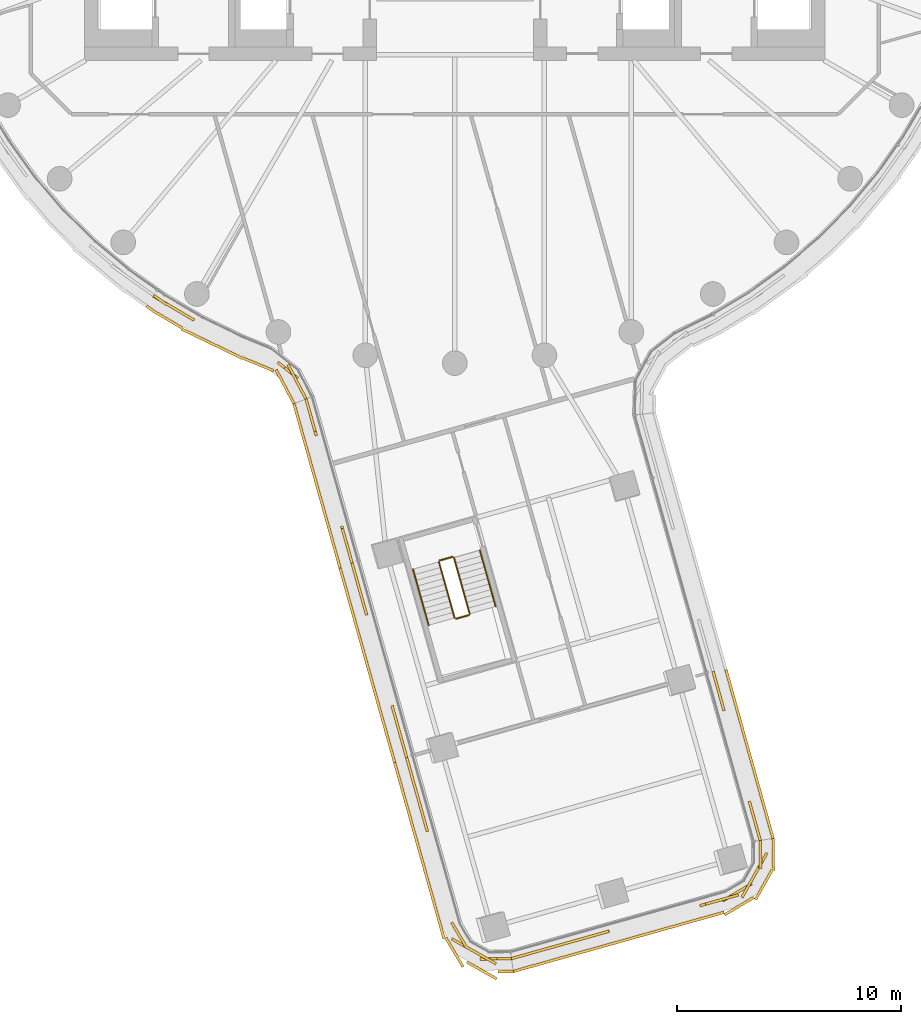
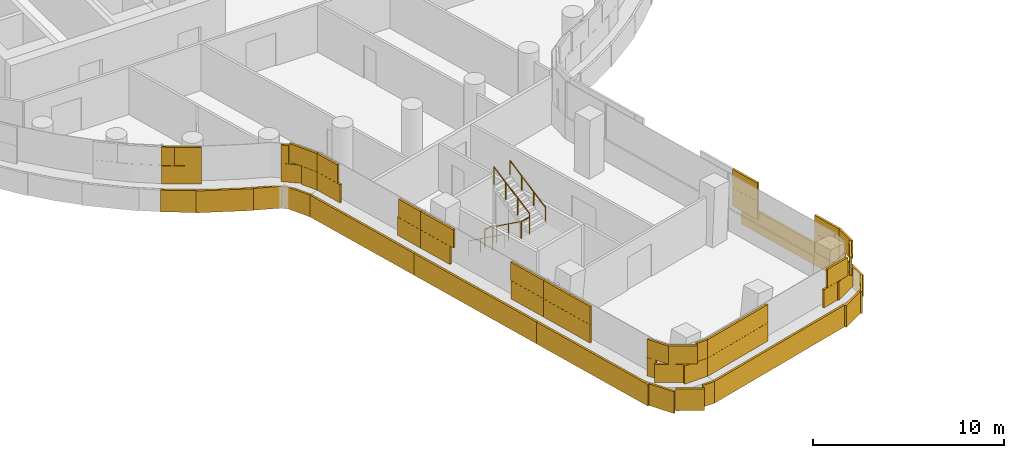
# One storey, part 24 of 30: 6 coverings, 6 railings.
"""IFC4 building model written with IfcOpenShell, lengths in metres."""

import ifcopenshell
import ifcopenshell.guid

model = None  # the IFC model being written
_history = None  # IfcOwnerHistory: only IFC2X3 demands one
_inside = {}  # id of a spatial element -> (the spatial element, [elements in it])
_under = {}  # id of a project, library or spatial element -> (it, [spatial elements below it])
_declared = {}  # id of a project -> (the project, [libraries it declares])
_typed = {}  # id of a type object -> (the type object, [elements of that type])
_made_of = {}  # id of a material, layer set ... -> (it, [elements and type objects made of it])


def new_model(schema):
    """Start an empty IFC model of exactly this schema.

    Asked for "IFC4X3", IfcOpenShell would pick the latest addendum, in which some entities
    have other attributes; the version numbers below select the first issue.
    IFC2X3 requires an IfcOwnerHistory on every rooted entity: one is made here for all.
    """
    global model, _history
    if schema == "IFC4X3":
        model = ifcopenshell.file(schema_version=(4, 3, 0, 0))
    else:
        model = ifcopenshell.file(schema=schema)
    _inside.clear()
    _under.clear()
    _declared.clear()
    _typed.clear()
    _made_of.clear()
    _history = None
    if model.schema == "IFC2X3":
        org = make("IfcOrganization", Name="unknown")
        user = make(
            "IfcPersonAndOrganization",
            ThePerson=make("IfcPerson", FamilyName="unknown"),
            TheOrganization=org,
        )
        app = make(
            "IfcApplication",
            ApplicationDeveloper=org,
            Version="unknown",
            ApplicationFullName="unknown",
            ApplicationIdentifier="unknown",
        )
        _history = make(
            "IfcOwnerHistory",
            OwningUser=user,
            OwningApplication=app,
            ChangeAction="ADDED",
            CreationDate=0,
        )
    return model


def make(cls, **values):
    """One entity of the class cls with the attributes given. An attribute that is None is left unset."""
    return model.create_entity(
        cls, **{name: value for name, value in values.items() if value is not None}
    )


def rooted(cls, **values):
    """An entity with a GlobalId (a new one), such as an element, a storey or a relation."""
    return make(cls, GlobalId=ifcopenshell.guid.new(), OwnerHistory=_history, **values)


def si_unit(unit_type, name, prefix=None):
    """IfcSIUnit, for example si_unit("LENGTHUNIT", "METRE", prefix="MILLI")."""
    return make("IfcSIUnit", UnitType=unit_type, Prefix=prefix, Name=name)


def assignment(units):
    """IfcUnitAssignment: the units of a project."""
    return None if units is None else make("IfcUnitAssignment", Units=units)


def point(xyz):
    """IfcCartesianPoint."""
    return None if xyz is None else make("IfcCartesianPoint", Coordinates=xyz)


def direction(xyz):
    """IfcDirection."""
    return None if xyz is None else make("IfcDirection", DirectionRatios=xyz)


def frame(location, z_axis=None, x_axis=None):
    """IfcAxis2Placement3D, a coordinate frame: its origin and axes. An axis left out is left unset."""
    return make(
        "IfcAxis2Placement3D",
        Location=point(location),
        Axis=direction(z_axis),
        RefDirection=direction(x_axis),
    )


def frame_2d(location, x_axis=None):
    """IfcAxis2Placement2D, a coordinate frame in the plane: its origin and x axis."""
    return make(
        "IfcAxis2Placement2D", Location=point(location), RefDirection=direction(x_axis)
    )


def origin():
    """The frame at (0, 0, 0) with its axes left unset."""
    return frame((0.0, 0.0, 0.0))


def origin_2d():
    """The frame at (0, 0) in the plane with its x axis left unset."""
    return frame_2d((0.0, 0.0))


def place(relative_to, where):
    """IfcLocalPlacement: puts the frame where relative to a parent placement (None: the world)."""
    return make(
        "IfcLocalPlacement", PlacementRelTo=relative_to, RelativePlacement=where
    )


def context(
    kind, dimensions, precision=None, world=None, true_north=None, identifier=None
):
    """IfcGeometricRepresentationContext, for example the 3D "Model" context."""
    return make(
        "IfcGeometricRepresentationContext",
        ContextIdentifier=identifier,
        ContextType=kind,
        CoordinateSpaceDimension=dimensions,
        Precision=precision,
        WorldCoordinateSystem=world,
        TrueNorth=true_north,
    )


def subcontext(parent, identifier, kind, view, scale=None):
    """IfcGeometricRepresentationSubContext, for example "Body" below "Model"."""
    return make(
        "IfcGeometricRepresentationSubContext",
        ContextIdentifier=identifier,
        ContextType=kind,
        ParentContext=parent,
        TargetScale=scale,
        TargetView=view,
    )


def project(units=None, contexts=None):
    """IfcProject with its units and contexts."""
    return rooted(
        "IfcProject",
        Name="project",
        RepresentationContexts=contexts,
        UnitsInContext=assignment(units),
    )


def spatial(cls, under=None, at=None, **own):
    """A site, building, storey or space (cls), placed at a placement, below another one or the project."""
    s = rooted(cls, ObjectPlacement=at, **own)
    if under is not None:
        _under.setdefault(under.id(), (under, []))[1].append(s)
    return s


def profile(cls, at=None, kind="AREA", **sizes):
    """A parametric profile (cls). Its sizes go by their IFC names, for example OverallWidth=200.0."""
    return make(cls, ProfileType=kind, Position=at, **sizes)


def rectangle(**sizes):
    """IfcRectangleProfileDef."""
    return profile("IfcRectangleProfileDef", **sizes)


def circle(**sizes):
    """IfcCircleProfileDef."""
    return profile("IfcCircleProfileDef", **sizes)


def extrude(swept, where, along, depth):
    """IfcExtrudedAreaSolid: the profile swept, set in the frame where, extruded along a direction by depth."""
    return make(
        "IfcExtrudedAreaSolid",
        SweptArea=swept,
        Position=where,
        ExtrudedDirection=direction(along),
        Depth=depth,
    )


def shape(context_of_items, identifier, shape_type, items):
    """IfcShapeRepresentation: the items that make up one representation, for example the "Body"."""
    return make(
        "IfcShapeRepresentation",
        ContextOfItems=context_of_items,
        RepresentationIdentifier=identifier,
        RepresentationType=shape_type,
        Items=items,
    )


def material(Name=None, Category=None):
    """IfcMaterial."""
    return make("IfcMaterial", Name=Name, Category=Category)


def layer(
    of_material, thickness, ventilated=None, Name=None, Category=None, Priority=None
):
    """IfcMaterialLayer: one layer of a wall or slab, of a material (None: an air gap)."""
    return make(
        "IfcMaterialLayer",
        Material=of_material,
        LayerThickness=thickness,
        IsVentilated=ventilated,
        Name=Name,
        Category=Category,
        Priority=Priority,
    )


def layer_set(layers, Name=None):
    """IfcMaterialLayerSet."""
    return make("IfcMaterialLayerSet", MaterialLayers=layers, LayerSetName=Name)


def made_of(thing, what):
    """Note that an element or type object is made of a material, layer set ...; save() writes the relation."""
    if what is not None:
        _made_of.setdefault(what.id(), (what, []))[1].append(thing)
    return thing


def type_object(cls, material=None, **own):
    """A type object (cls), such as IfcWallType, which elements share."""
    return made_of(rooted(cls, **own), material)


def element(
    cls,
    number,
    at=None,
    inside=None,
    cuts=None,
    type_object=None,
    material=None,
    context=None,
    identifier="Body",
    shape_type=None,
    held_by="IfcProductDefinitionShape",
    body=None,
    shapes=None,
    **own,
):
    """One element of the class cls, such as IfcWall. Its Tag is "e" and its number.

    at: its placement. inside: the storey or other place that contains it. cuts: it is an
    opening in that element (IfcRelVoidsElement). A single representation is given by context,
    identifier, shape_type and body (its items); several are given by shapes. held_by: the class
    of the entity that holds the representations. save() writes the other relations.
    """
    e = rooted(cls, Tag="e%d" % number, ObjectPlacement=at, **own)
    if body is not None:
        shapes = [shape(context, identifier, shape_type, body)]
    if shapes is not None:
        e.Representation = make(held_by, Representations=shapes)
    if inside is not None:
        _inside.setdefault(inside.id(), (inside, []))[1].append(e)
    if cuts is not None:
        rooted(
            "IfcRelVoidsElement", RelatingBuildingElement=cuts, RelatedOpeningElement=e
        )
    if type_object is not None:
        _typed.setdefault(type_object.id(), (type_object, []))[1].append(e)
    return made_of(e, material)


def aggregate(whole, parts):
    """IfcRelAggregates: a whole, such as a stair, and the parts it consists of."""
    return rooted("IfcRelAggregates", RelatingObject=whole, RelatedObjects=parts)


def save(model, path):
    """Write the relations noted so far, then the file.

    IfcRelAggregates (storeys below a building ...), IfcRelContainedInSpatialStructure (elements
    in a storey), IfcRelDefinesByType, IfcRelAssociatesMaterial and IfcRelDeclares: one each for
    every whole, place, type object, material and project.
    """
    for whole, parts in _under.values():
        aggregate(whole, parts)
    for where, things in _inside.values():
        rooted(
            "IfcRelContainedInSpatialStructure",
            RelatedElements=things,
            RelatingStructure=where,
        )
    for kind, things in _typed.values():
        rooted("IfcRelDefinesByType", RelatedObjects=things, RelatingType=kind)
    for what, things in _made_of.values():
        rooted("IfcRelAssociatesMaterial", RelatedObjects=things, RelatingMaterial=what)
    for by, libraries in _declared.values():
        rooted("IfcRelDeclares", RelatingContext=by, RelatedDefinitions=libraries)
    model.write(path)


model = new_model("IFC4")

# Units and contexts
model_context = context("Model", 3, precision=1e-05, world=origin(), true_north=direction((0.0, 1.0)))
body_context = subcontext(model_context, "Body", "Model", "MODEL_VIEW")
ifc_project = project(units=[si_unit("LENGTHUNIT", "METRE"), si_unit("AREAUNIT", "SQUARE_METRE"), si_unit("VOLUMEUNIT", "CUBIC_METRE"), si_unit("PLANEANGLEUNIT", "RADIAN"), si_unit("MASSUNIT", "GRAM", prefix="KILO")], contexts=[model_context])

# Site, building, storey
site_placement = place(None, origin())
site = spatial("IfcSite", under=ifc_project, at=site_placement, CompositionType="ELEMENT")
building_placement = place(site_placement, origin())
building = spatial("IfcBuilding", under=site, at=building_placement, Name="Tamarind Cross Interchange Tower", CompositionType="ELEMENT")
storey_placement = place(building_placement, frame((0.0, 0.0, 91.0)))
storey = spatial("IfcBuildingStorey", under=building, at=storey_placement, Name="L21", CompositionType="ELEMENT", Elevation=91.0)

# Railings
ifc_material_1 = material(Name="Stair guard")
railing_type_1 = type_object("IfcRailingType", Name="Stair guard", PredefinedType="GUARDRAIL", material=ifc_material_1)
railing_1_placement = place(storey_placement, frame((-0.713134765625, -31.859130859375, 0.17041015625)))
element("IfcRailing", 1, at=railing_1_placement, inside=storey, type_object=railing_type_1, Name="L21 ST6 stair guard 1", PredefinedType="GUARDRAIL", context=body_context, shape_type="SweptSolid", body=[
    extrude(circle(Radius=0.02392578125, at=origin_2d()), frame((0.0, 0.0, 1.076171875), z_axis=(0.22584546189, -0.805222310926, 0.54827990783), x_axis=(0.962844949512, 0.270054815174, 0.0)), (0.0, 0.0, 1.0), 3.10888671875),
    extrude(circle(Radius=0.02099609375, at=origin_2d()), origin(), (0.0, 0.0, 1.0), 1.052001953125),
    extrude(circle(Radius=0.02099609375, at=origin_2d()), frame((0.234130859375, -0.83447265625, 0.568115234375)), (0.0, 0.0, 1.0), 1.052001953125),
    extrude(circle(Radius=0.02099609375, at=origin_2d()), frame((0.468017578125, -1.6689453125, 1.136474609375)), (0.0, 0.0, 1.0), 1.052001953125),
    extrude(circle(Radius=0.02099609375, at=origin_2d()), frame((0.7021484375, -2.50341796875, 1.70458984375)), (0.0, 0.0, 1.0), 1.052001953125),
])
railing_2_placement = place(storey_placement, frame((0.05078125, -34.397216796875, 1.875)))
element("IfcRailing", 2, at=railing_2_placement, inside=storey, type_object=railing_type_1, Name="L21 ST6 stair guard 2", PredefinedType="GUARDRAIL", context=body_context, shape_type="SweptSolid", body=[
    extrude(circle(Radius=0.02392578125, at=origin_2d()), frame((0.0, 0.0, 1.076171875), z_axis=(0.962803249264, 0.270203447807, 0.0), x_axis=(-0.270203447807, 0.962803249264, 0.0)), (0.0, 0.0, 1.0), 0.599853515625),
    extrude(circle(Radius=0.02099609375, at=origin_2d()), origin(), (0.0, 0.0, 1.0), 1.052001953125),
    extrude(circle(Radius=0.02099609375, at=origin_2d()), frame((0.57763671875, 0.162109375, 0.0)), (0.0, 0.0, 1.0), 1.052001953125),
])
railing_3_placement = place(storey_placement, frame((0.6630859375, -34.17333984375, 2.04541015625)))
element("IfcRailing", 3, at=railing_3_placement, inside=storey, type_object=railing_type_1, Name="L21 ST6 stair guard 3", PredefinedType="GUARDRAIL", context=body_context, shape_type="SweptSolid", body=[
    extrude(circle(Radius=0.02392578125, at=origin_2d()), frame((0.0, 0.0, 1.076171875), z_axis=(-0.225934267712, 0.805180412531, 0.548304851291), x_axis=(-0.962813677155, -0.270166287835, 0.0)), (0.0, 0.0, 1.0), 3.10888671875),
    extrude(circle(Radius=0.02099609375, at=origin_2d()), origin(), (0.0, 0.0, 1.0), 1.052001953125),
    extrude(circle(Radius=0.02099609375, at=origin_2d()), frame((-0.234130859375, 0.83447265625, 0.568115234375)), (0.0, 0.0, 1.0), 1.052001953125),
    extrude(circle(Radius=0.02099609375, at=origin_2d()), frame((-0.46826171875, 1.668701171875, 1.136474609375)), (0.0, 0.0, 1.0), 1.052001953125),
    extrude(circle(Radius=0.02099609375, at=origin_2d()), frame((-0.702392578125, 2.503173828125, 1.70458984375)), (0.0, 0.0, 1.0), 1.052001953125),
])
railing_4_placement = place(storey_placement, frame((-0.6787109375, -31.797607421875, 0.0)))
element("IfcRailing", 4, at=railing_4_placement, inside=storey, type_object=railing_type_1, Name="L21 ST6 stair guard 4", PredefinedType="GUARDRAIL", context=body_context, shape_type="SweptSolid", body=[
    extrude(circle(Radius=0.02392578125, at=origin_2d()), frame((0.0, 0.0, 1.076171875), z_axis=(0.962832941944, 0.27009762292, 0.0), x_axis=(-0.27009762292, 0.962832941944, 0.0)), (0.0, 0.0, 1.0), 0.60009765625),
    extrude(circle(Radius=0.02099609375, at=origin_2d()), origin(), (0.0, 0.0, 1.0), 1.052001953125),
    extrude(circle(Radius=0.02099609375, at=origin_2d()), frame((0.577880859375, 0.162109375, 0.0)), (0.0, 0.0, 1.0), 1.052001953125),
])
ifc_material_2 = material(Name="Stair handrail")
railing_type_2 = type_object("IfcRailingType", Name="Stair handrail", PredefinedType="HANDRAIL", material=ifc_material_2)
railing_5_placement = place(storey_placement, frame((-1.86865234375, -32.183349609375, 0.17041015625)))
element("IfcRailing", 5, at=railing_5_placement, inside=storey, type_object=railing_type_2, Name="L21 ST6 stair handrail 1", PredefinedType="HANDRAIL", context=body_context, shape_type="SweptSolid", body=[
    extrude(circle(Radius=0.02392578125, at=origin_2d()), frame((0.0, 0.0, 0.8759765625), z_axis=(0.225919982143, -0.805208028118, 0.548270182594), x_axis=(0.962820530376, 0.270141863262, 0.0)), (0.0, 0.0, 1.0), 3.109130859375),
    extrude(circle(Radius=0.02099609375, at=origin_2d()), origin(), (0.0, 0.0, 1.0), 0.851806640625),
    extrude(circle(Radius=0.02099609375, at=origin_2d()), frame((0.234130859375, -0.83447265625, 0.568115234375)), (0.0, 0.0, 1.0), 0.851806640625),
    extrude(circle(Radius=0.02099609375, at=origin_2d()), frame((0.46826171875, -1.6689453125, 1.136474609375)), (0.0, 0.0, 1.0), 0.851806640625),
    extrude(circle(Radius=0.02099609375, at=origin_2d()), frame((0.702392578125, -2.50341796875, 1.70458984375)), (0.0, 0.0, 1.0), 0.851806640625),
])
railing_6_placement = place(storey_placement, frame((1.818359375, -33.849365234375, 2.04541015625)))
element("IfcRailing", 6, at=railing_6_placement, inside=storey, type_object=railing_type_2, Name="L21 ST6 stair handrail 2", PredefinedType="HANDRAIL", context=body_context, shape_type="SweptSolid", body=[
    extrude(circle(Radius=0.02392578125, at=origin_2d()), frame((0.0, 0.0, 0.8759765625), z_axis=(-0.22584546189, 0.805222310926, 0.54827990783), x_axis=(-0.962844949512, -0.270054815174, 0.0)), (0.0, 0.0, 1.0), 3.10888671875),
    extrude(circle(Radius=0.02099609375, at=origin_2d()), origin(), (0.0, 0.0, 1.0), 0.851806640625),
    extrude(circle(Radius=0.02099609375, at=origin_2d()), frame((-0.234130859375, 0.83447265625, 0.568115234375)), (0.0, 0.0, 1.0), 0.851806640625),
    extrude(circle(Radius=0.02099609375, at=origin_2d()), frame((-0.468017578125, 1.6689453125, 1.136474609375)), (0.0, 0.0, 1.0), 0.851806640625),
    extrude(circle(Radius=0.02099609375, at=origin_2d()), frame((-0.7021484375, 2.50341796875, 1.70458984375)), (0.0, 0.0, 1.0), 0.851806640625),
])

# Coverings
ifc_material_3 = material(Name="Terracotta", Category="masonry")
ifc_layer = layer(ifc_material_3, 0.1201171875)
ifc_layer_set = layer_set([ifc_layer], Name="Terracotta")
covering_type = type_object("IfcCoveringType", Name="Terracotta baguette screen unit", PredefinedType="MOLDING", material=ifc_layer_set)
covering_1_placement = place(storey_placement, origin())
element("IfcCovering", 7, at=covering_1_placement, inside=storey, type_object=covering_type, Name="SCR-L21-00-00", PredefinedType="MOLDING", context=body_context, shape_type="SweptSolid", body=[
    extrude(rectangle(XDim=0.760009765625, YDim=0.1201171875, at=origin_2d()), frame((2.884033203125, -49.44482421875, 1.404052734375), z_axis=(0.0, 0.0, 1.0), x_axis=(0.962823871791, 0.270129953744, 0.0)), (0.0, 0.0, 1.0), 1.1669921875),
    extrude(rectangle(XDim=1.52001953125, YDim=0.1201171875, at=origin_2d()), frame((3.96728515625, -49.140869140625, 1.404052734375), z_axis=(0.0, 0.0, 1.0), x_axis=(0.962823871791, 0.270129953744, 0.0)), (0.0, 0.0, 1.0), 1.1669921875),
    extrude(rectangle(XDim=1.52001953125, YDim=0.1201171875, at=origin_2d()), frame((5.411376953125, -48.73583984375, 1.404052734375), z_axis=(0.0, 0.0, 1.0), x_axis=(0.962823871791, 0.270129953744, 0.0)), (0.0, 0.0, 1.0), 1.1669921875),
    extrude(rectangle(XDim=0.784912109375, YDim=0.1201171875, at=origin_2d()), frame((6.506591796875, -48.428466796875, 1.404052734375), z_axis=(0.0, 0.0, 1.0), x_axis=(0.962823871791, 0.270129953744, 0.0)), (0.0, 0.0, 1.0), 1.1669921875),
    extrude(rectangle(XDim=1.03515625, YDim=0.1201171875, at=origin_2d()), frame((11.4169921875, -47.05078125, 1.404052734375), z_axis=(0.0, 0.0, 1.0), x_axis=(0.962823871791, 0.270129953744, 0.0)), (0.0, 0.0, 1.0), 1.1669921875),
    extrude(rectangle(XDim=1.52001953125, YDim=0.1201171875, at=origin_2d()), frame((12.583740234375, -46.595458984375, 1.404052734375), z_axis=(0.0, 0.0, 1.0), x_axis=(0.860101667249, 0.510122653874, 0.0)), (0.0, 0.0, 1.0), 1.1669921875),
    extrude(rectangle(XDim=1.52001953125, YDim=0.1201171875, at=origin_2d()), frame((13.538818359375, -45.5029296875, 1.404052734375), z_axis=(0.0, 0.0, 1.0), x_axis=(0.489808566738, 0.871830010925, 0.0)), (0.0, 0.0, 1.0), 1.1669921875),
    extrude(rectangle(XDim=0.509521484375, YDim=0.1201171875, at=origin_2d()), frame((13.616455078125, -44.526123046875, 1.404052734375), z_axis=(0.0, 0.0, 1.0), x_axis=(-0.011728343677, 0.999931220612, 0.0)), (0.0, 0.0, 1.0), 1.1669921875),
    extrude(rectangle(XDim=1.510009765625, YDim=0.1201171875, at=origin_2d()), frame((3.2451171875, -49.343505859375, 2.5791015625), z_axis=(0.0, 0.0, 1.0), x_axis=(0.962823871791, 0.270129953744, 0.0)), (0.0, 0.0, 1.0), 1.1669921875),
    extrude(rectangle(XDim=1.52001953125, YDim=0.1201171875, at=origin_2d()), frame((4.689453125, -48.9384765625, 2.5791015625), z_axis=(0.0, 0.0, 1.0), x_axis=(0.962823871791, 0.270129953744, 0.0)), (0.0, 0.0, 1.0), 1.1669921875),
    extrude(rectangle(XDim=1.52001953125, YDim=0.1201171875, at=origin_2d()), frame((6.133544921875, -48.533203125, 2.5791015625), z_axis=(0.0, 0.0, 1.0), x_axis=(0.962823871791, 0.270129953744, 0.0)), (0.0, 0.0, 1.0), 1.1669921875),
    extrude(rectangle(XDim=1.52001953125, YDim=0.1201171875, at=origin_2d()), frame((11.91064453125, -46.912353515625, 2.5791015625), z_axis=(0.0, 0.0, 1.0), x_axis=(0.962823871791, 0.270129953744, 0.0)), (0.0, 0.0, 1.0), 1.1669921875),
    extrude(rectangle(XDim=1.52001953125, YDim=0.1201171875, at=origin_2d()), frame((13.17138671875, -46.15673828125, 2.5791015625), z_axis=(0.0, 0.0, 1.0), x_axis=(0.489808566738, 0.871830010925, 0.0)), (0.0, 0.0, 1.0), 1.1669921875),
    extrude(rectangle(XDim=1.259521484375, YDim=0.1201171875, at=origin_2d()), frame((13.620849609375, -44.901123046875, 2.5791015625), z_axis=(0.0, 0.0, 1.0), x_axis=(-0.011728343677, 0.999931220612, 0.0)), (0.0, 0.0, 1.0), 1.1669921875),
    extrude(rectangle(XDim=0.760009765625, YDim=0.1201171875, at=origin_2d()), frame((2.97119140625, -50.0166015625, 0.00390625), z_axis=(0.0, 0.0, 1.0), x_axis=(0.962823871791, 0.270129953744, 0.0)), (0.0, 0.0, 1.0), 1.39208984375),
    extrude(rectangle(XDim=1.52001953125, YDim=0.1201171875, at=origin_2d()), frame((4.049560546875, -49.714111328125, 0.00390625), z_axis=(0.0, 0.0, 1.0), x_axis=(0.962823871791, 0.270129953744, 0.0)), (0.0, 0.0, 1.0), 1.39208984375),
    extrude(rectangle(XDim=1.52001953125, YDim=0.1201171875, at=origin_2d()), frame((5.49365234375, -49.308837890625, 0.00390625), z_axis=(0.0, 0.0, 1.0), x_axis=(0.962823871791, 0.270129953744, 0.0)), (0.0, 0.0, 1.0), 1.39208984375),
    extrude(rectangle(XDim=1.52001953125, YDim=0.1201171875, at=origin_2d()), frame((6.93798828125, -48.903564453125, 0.00390625), z_axis=(0.0, 0.0, 1.0), x_axis=(0.962823871791, 0.270129953744, 0.0)), (0.0, 0.0, 1.0), 1.39208984375),
    extrude(rectangle(XDim=1.52001953125, YDim=0.1201171875, at=origin_2d()), frame((8.38232421875, -48.49853515625, 0.00390625), z_axis=(0.0, 0.0, 1.0), x_axis=(0.962823871791, 0.270129953744, 0.0)), (0.0, 0.0, 1.0), 1.39208984375),
    extrude(rectangle(XDim=1.52001953125, YDim=0.1201171875, at=origin_2d()), frame((9.826416015625, -48.09326171875, 0.00390625), z_axis=(0.0, 0.0, 1.0), x_axis=(0.962823871791, 0.270129953744, 0.0)), (0.0, 0.0, 1.0), 1.39208984375),
    extrude(rectangle(XDim=1.52001953125, YDim=0.1201171875, at=origin_2d()), frame((11.270751953125, -47.68798828125, 0.00390625), z_axis=(0.0, 0.0, 1.0), x_axis=(0.962823871791, 0.270129953744, 0.0)), (0.0, 0.0, 1.0), 1.39208984375),
    extrude(rectangle(XDim=1.52001953125, YDim=0.1201171875, at=origin_2d()), frame((12.681640625, -47.204833984375, 0.00390625), z_axis=(0.0, 0.0, 1.0), x_axis=(0.860101667249, 0.510122653874, 0.0)), (0.0, 0.0, 1.0), 1.39208984375),
    extrude(rectangle(XDim=1.52001953125, YDim=0.1201171875, at=origin_2d()), frame((13.77734375, -46.25, 0.00390625), z_axis=(0.0, 0.0, 1.0), x_axis=(0.489808566738, 0.871830010925, 0.0)), (0.0, 0.0, 1.0), 1.39208984375),
    extrude(rectangle(XDim=1.4267578125, YDim=0.1201171875, at=origin_2d()), frame((14.195068359375, -44.90771484375, 0.00390625), z_axis=(0.0, 0.0, 1.0), x_axis=(-0.011728343677, 0.999931220612, 0.0)), (0.0, 0.0, 1.0), 1.39208984375),
])
covering_2_placement = place(storey_placement, origin())
element("IfcCovering", 8, at=covering_2_placement, inside=storey, type_object=covering_type, Name="SCR-L21-01-00", PredefinedType="MOLDING", context=body_context, shape_type="SweptSolid", body=[
    extrude(rectangle(XDim=0.760009765625, YDim=0.1201171875, at=origin_2d()), frame((13.5126953125, -43.9150390625, 1.404052734375), z_axis=(0.0, 0.0, 1.0), x_axis=(-0.26883067316, 0.963187452767, 0.0)), (0.0, 0.0, 1.0), 1.1669921875),
    extrude(rectangle(XDim=1.06640625, YDim=0.1201171875, at=origin_2d()), frame((13.27001953125, -43.045166015625, 1.404052734375), z_axis=(0.0, 0.0, 1.0), x_axis=(-0.26883067316, 0.963187452767, 0.0)), (0.0, 0.0, 1.0), 1.1669921875),
    extrude(rectangle(XDim=0.75341796875, YDim=0.1201171875, at=origin_2d()), frame((11.89892578125, -38.1328125, 1.404052734375), z_axis=(0.0, 0.0, 1.0), x_axis=(-0.26883067316, 0.963187452767, 0.0)), (0.0, 0.0, 1.0), 1.1669921875),
    extrude(rectangle(XDim=1.072998046875, YDim=0.1201171875, at=origin_2d()), frame((11.656005859375, -37.262939453125, 1.404052734375), z_axis=(0.0, 0.0, 1.0), x_axis=(-0.26883067316, 0.963187452767, 0.0)), (0.0, 0.0, 1.0), 1.1669921875),
    extrude(rectangle(XDim=1.510009765625, YDim=0.1201171875, at=origin_2d()), frame((13.411865234375, -43.553955078125, 2.5791015625), z_axis=(0.0, 0.0, 1.0), x_axis=(-0.26883067316, 0.963187452767, 0.0)), (0.0, 0.0, 1.0), 1.1669921875),
    extrude(rectangle(XDim=0.31640625, YDim=0.1201171875, at=origin_2d()), frame((13.169189453125, -42.683837890625, 2.5791015625), z_axis=(0.0, 0.0, 1.0), x_axis=(-0.26883067316, 0.963187452767, 0.0)), (0.0, 0.0, 1.0), 1.1669921875),
    extrude(rectangle(XDim=1.50341796875, YDim=0.1201171875, at=origin_2d()), frame((11.798095703125, -37.771728515625, 2.5791015625), z_axis=(0.0, 0.0, 1.0), x_axis=(-0.26883067316, 0.963187452767, 0.0)), (0.0, 0.0, 1.0), 1.1669921875),
    extrude(rectangle(XDim=0.322998046875, YDim=0.1201171875, at=origin_2d()), frame((11.55517578125, -36.901611328125, 2.5791015625), z_axis=(0.0, 0.0, 1.0), x_axis=(-0.26883067316, 0.963187452767, 0.0)), (0.0, 0.0, 1.0), 1.1669921875),
    extrude(rectangle(XDim=0.760009765625, YDim=0.1201171875, at=origin_2d()), frame((14.08447265625, -43.828369140625, 0.00390625), z_axis=(0.0, 0.0, 1.0), x_axis=(-0.26883067316, 0.963187452767, 0.0)), (0.0, 0.0, 1.0), 1.39208984375),
    extrude(rectangle(XDim=1.52001953125, YDim=0.1201171875, at=origin_2d()), frame((13.783447265625, -42.74951171875, 0.00390625), z_axis=(0.0, 0.0, 1.0), x_axis=(-0.26883067316, 0.963187452767, 0.0)), (0.0, 0.0, 1.0), 1.39208984375),
    extrude(rectangle(XDim=1.52001953125, YDim=0.1201171875, at=origin_2d()), frame((13.380126953125, -41.304931640625, 0.00390625), z_axis=(0.0, 0.0, 1.0), x_axis=(-0.26883067316, 0.963187452767, 0.0)), (0.0, 0.0, 1.0), 1.39208984375),
    extrude(rectangle(XDim=1.52001953125, YDim=0.1201171875, at=origin_2d()), frame((12.976806640625, -39.860107421875, 0.00390625), z_axis=(0.0, 0.0, 1.0), x_axis=(-0.26883067316, 0.963187452767, 0.0)), (0.0, 0.0, 1.0), 1.39208984375),
    extrude(rectangle(XDim=1.52001953125, YDim=0.1201171875, at=origin_2d()), frame((12.57373046875, -38.415283203125, 0.00390625), z_axis=(0.0, 0.0, 1.0), x_axis=(-0.26883067316, 0.963187452767, 0.0)), (0.0, 0.0, 1.0), 1.39208984375),
    extrude(rectangle(XDim=1.068359375, YDim=0.1201171875, at=origin_2d()), frame((12.231201171875, -37.18798828125, 0.00390625), z_axis=(0.0, 0.0, 1.0), x_axis=(-0.26883067316, 0.963187452767, 0.0)), (0.0, 0.0, 1.0), 1.39208984375),
])
covering_3_placement = place(storey_placement, origin())
element("IfcCovering", 9, at=covering_3_placement, inside=storey, type_object=covering_type, Name="SCR-L21-14-01", PredefinedType="MOLDING", context=body_context, shape_type="SweptSolid", body=[
    extrude(rectangle(XDim=1.451416015625, YDim=0.1201171875, at=origin_2d()), frame((-12.820068359375, -20.3779296875, 1.404052734375), z_axis=(0.0, 0.0, 1.0), x_axis=(0.861248933065, -0.508183308752, 0.0)), (0.0, 0.0, 1.0), 1.1669921875),
    extrude(rectangle(XDim=0.674560546875, YDim=0.1201171875, at=origin_2d()), frame((-11.9130859375, -20.9130859375, 1.404052734375), z_axis=(0.0, 0.0, 1.0), x_axis=(0.861248933065, -0.508183308752, 0.0)), (0.0, 0.0, 1.0), 1.1669921875),
    extrude(rectangle(XDim=1.145263671875, YDim=0.1201171875, at=origin_2d()), frame((-7.447998046875, -23.3193359375, 1.404052734375), z_axis=(0.0, 0.0, 1.0), x_axis=(0.781408714054, -0.624019568283, 0.0)), (0.0, 0.0, 1.0), 1.1669921875),
    extrude(rectangle(XDim=0.980712890625, YDim=0.1201171875, at=origin_2d()), frame((-6.860107421875, -24.17041015625, 1.404052734375), z_axis=(0.0, 0.0, 1.0), x_axis=(0.465062141206, -0.885278038142, 0.0)), (0.0, 0.0, 1.0), 1.1669921875),
    extrude(rectangle(XDim=0.701416015625, YDim=0.1201171875, at=origin_2d()), frame((-13.14013671875, -20.182861328125, 2.5791015625), z_axis=(0.0, 0.0, 1.0), x_axis=(0.816341886298, -0.577568978284, 0.0)), (0.0, 0.0, 1.0), 1.1669921875),
    extrude(rectangle(XDim=1.424560546875, YDim=0.1201171875, at=origin_2d()), frame((-12.236083984375, -20.722412109375, 2.5791015625), z_axis=(0.0, 0.0, 1.0), x_axis=(0.861248933065, -0.508183308752, 0.0)), (0.0, 0.0, 1.0), 1.1669921875),
    extrude(rectangle(XDim=0.395263671875, YDim=0.1201171875, at=origin_2d()), frame((-7.740966796875, -23.085205078125, 2.5791015625), z_axis=(0.0, 0.0, 1.0), x_axis=(0.781408714054, -0.624019568283, 0.0)), (0.0, 0.0, 1.0), 1.1669921875),
    extrude(rectangle(XDim=1.52001953125, YDim=0.1201171875, at=origin_2d()), frame((-7.085693359375, -23.74072265625, 2.5791015625), z_axis=(0.0, 0.0, 1.0), x_axis=(0.465062141206, -0.885278038142, 0.0)), (0.0, 0.0, 1.0), 1.1669921875),
    extrude(rectangle(XDim=0.230712890625, YDim=0.1201171875, at=origin_2d()), frame((-6.685546875, -24.50244140625, 2.5791015625), z_axis=(0.0, 0.0, 1.0), x_axis=(0.465062141206, -0.885278038142, 0.0)), (0.0, 0.0, 1.0), 1.1669921875),
    extrude(rectangle(XDim=0.369873046875, YDim=0.1201171875, at=origin_2d()), frame((-13.59130859375, -20.566650390625, 0.00390625), z_axis=(0.0, 0.0, 1.0), x_axis=(0.816341886298, -0.577568978284, 0.0)), (0.0, 0.0, 1.0), 1.39208984375),
    extrude(rectangle(XDim=1.52001953125, YDim=0.1201171875, at=origin_2d()), frame((-12.805419921875, -21.05322265625, 0.00390625), z_axis=(0.0, 0.0, 1.0), x_axis=(0.861248933065, -0.508183308752, 0.0)), (0.0, 0.0, 1.0), 1.39208984375),
    extrude(rectangle(XDim=1.52001953125, YDim=0.1201171875, at=origin_2d()), frame((-11.507568359375, -21.804443359375, 0.00390625), z_axis=(0.0, 0.0, 1.0), x_axis=(0.900272776334, -0.435326231914, 0.0)), (0.0, 0.0, 1.0), 1.39208984375),
    extrude(rectangle(XDim=1.52001953125, YDim=0.1201171875, at=origin_2d()), frame((-10.1572265625, -22.457275390625, 0.00390625), z_axis=(0.0, 0.0, 1.0), x_axis=(0.900272776334, -0.435326231914, 0.0)), (0.0, 0.0, 1.0), 1.39208984375),
    extrude(rectangle(XDim=1.52001953125, YDim=0.1201171875, at=origin_2d()), frame((-8.77978515625, -23.050048828125, 0.00390625), z_axis=(0.0, 0.0, 1.0), x_axis=(0.924337914737, -0.381574919747, 0.0)), (0.0, 0.0, 1.0), 1.39208984375),
    extrude(rectangle(XDim=1.52001953125, YDim=0.1201171875, at=origin_2d()), frame((-7.613525390625, -23.97021484375, 0.00390625), z_axis=(0.0, 0.0, 1.0), x_axis=(0.465062141206, -0.885278038142, 0.0)), (0.0, 0.0, 1.0), 1.39208984375),
    extrude(rectangle(XDim=0.21240234375, YDim=0.1201171875, at=origin_2d()), frame((-7.219970703125, -24.71923828125, 0.00390625), z_axis=(0.0, 0.0, 1.0), x_axis=(0.465062141206, -0.885278038142, 0.0)), (0.0, 0.0, 1.0), 1.39208984375),
])
covering_4_placement = place(storey_placement, origin())
element("IfcCovering", 10, at=covering_4_placement, inside=storey, type_object=covering_type, Name="SCR-L21-15-00", PredefinedType="MOLDING", context=body_context, shape_type="SweptSolid", body=[
    extrude(rectangle(XDim=0.760009765625, YDim=0.1201171875, at=origin_2d()), frame((-6.532958984375, -24.961181640625, 1.404052734375), z_axis=(0.0, 0.0, 1.0), x_axis=(0.270129953744, -0.962823871791, 0.0)), (0.0, 0.0, 1.0), 1.1669921875),
    extrude(rectangle(XDim=0.95947265625, YDim=0.1201171875, at=origin_2d()), frame((-6.303466796875, -25.779296875, 1.404052734375), z_axis=(0.0, 0.0, 1.0), x_axis=(0.270129953744, -0.962823871791, 0.0)), (0.0, 0.0, 1.0), 1.1669921875),
    extrude(rectangle(XDim=0.860595703125, YDim=0.1201171875, at=origin_2d()), frame((-4.92578125, -30.689697265625, 1.404052734375), z_axis=(0.0, 0.0, 1.0), x_axis=(0.270129953744, -0.962823871791, 0.0)), (0.0, 0.0, 1.0), 1.1669921875),
    extrude(rectangle(XDim=0.85888671875, YDim=0.1201171875, at=origin_2d()), frame((-4.6962890625, -31.5078125, 1.404052734375), z_axis=(0.0, 0.0, 1.0), x_axis=(0.270129953744, -0.962823871791, 0.0)), (0.0, 0.0, 1.0), 1.1669921875),
    extrude(rectangle(XDim=1.510009765625, YDim=0.1201171875, at=origin_2d()), frame((-6.431640625, -25.322021484375, 2.5791015625), z_axis=(0.0, 0.0, 1.0), x_axis=(0.270129953744, -0.962823871791, 0.0)), (0.0, 0.0, 1.0), 1.1669921875),
    extrude(rectangle(XDim=1.52001953125, YDim=0.1201171875, at=origin_2d()), frame((-4.81103515625, -31.09912109375, 2.5791015625), z_axis=(0.0, 0.0, 1.0), x_axis=(0.270129953744, -0.962823871791, 0.0)), (0.0, 0.0, 1.0), 1.1669921875),
    extrude(rectangle(XDim=0.10888671875, YDim=0.1201171875, at=origin_2d()), frame((-4.594970703125, -31.868896484375, 2.5791015625), z_axis=(0.0, 0.0, 1.0), x_axis=(0.270129953744, -0.962823871791, 0.0)), (0.0, 0.0, 1.0), 1.1669921875),
    extrude(rectangle(XDim=0.760009765625, YDim=0.1201171875, at=origin_2d()), frame((-7.06787109375, -25.17919921875, 0.00390625), z_axis=(0.0, 0.0, 1.0), x_axis=(0.270129953744, -0.962823871791, 0.0)), (0.0, 0.0, 1.0), 1.39208984375),
    extrude(rectangle(XDim=1.52001953125, YDim=0.1201171875, at=origin_2d()), frame((-6.765380859375, -26.257568359375, 0.00390625), z_axis=(0.0, 0.0, 1.0), x_axis=(0.270129953744, -0.962823871791, 0.0)), (0.0, 0.0, 1.0), 1.39208984375),
    extrude(rectangle(XDim=1.52001953125, YDim=0.1201171875, at=origin_2d()), frame((-6.360107421875, -27.701904296875, 0.00390625), z_axis=(0.0, 0.0, 1.0), x_axis=(0.270129953744, -0.962823871791, 0.0)), (0.0, 0.0, 1.0), 1.39208984375),
    extrude(rectangle(XDim=1.52001953125, YDim=0.1201171875, at=origin_2d()), frame((-5.955078125, -29.14599609375, 0.00390625), z_axis=(0.0, 0.0, 1.0), x_axis=(0.270129953744, -0.962823871791, 0.0)), (0.0, 0.0, 1.0), 1.39208984375),
    extrude(rectangle(XDim=1.52001953125, YDim=0.1201171875, at=origin_2d()), frame((-5.5498046875, -30.59033203125, 0.00390625), z_axis=(0.0, 0.0, 1.0), x_axis=(0.270129953744, -0.962823871791, 0.0)), (0.0, 0.0, 1.0), 1.39208984375),
    extrude(rectangle(XDim=0.863525390625, YDim=0.1201171875, at=origin_2d()), frame((-5.2333984375, -31.718505859375, 0.00390625), z_axis=(0.0, 0.0, 1.0), x_axis=(0.270129953744, -0.962823871791, 0.0)), (0.0, 0.0, 1.0), 1.39208984375),
])
covering_5_placement = place(storey_placement, origin())
element("IfcCovering", 11, at=covering_5_placement, inside=storey, type_object=covering_type, Name="SCR-L21-15-01", PredefinedType="MOLDING", context=body_context, shape_type="SweptSolid", body=[
    extrude(rectangle(XDim=0.6611328125, YDim=0.1201171875, at=origin_2d()), frame((-4.49365234375, -32.22998046875, 1.404052734375), z_axis=(0.0, 0.0, 1.0), x_axis=(0.270129953744, -0.962823871791, 0.0)), (0.0, 0.0, 1.0), 1.1669921875),
    extrude(rectangle(XDim=1.52001953125, YDim=0.1201171875, at=origin_2d()), frame((-4.203125, -33.265380859375, 1.404052734375), z_axis=(0.0, 0.0, 1.0), x_axis=(0.270129953744, -0.962823871791, 0.0)), (0.0, 0.0, 1.0), 1.1669921875),
    extrude(rectangle(XDim=1.52001953125, YDim=0.1201171875, at=origin_2d()), frame((-2.582275390625, -39.04248046875, 1.404052734375), z_axis=(0.0, 0.0, 1.0), x_axis=(0.270129953744, -0.962823871791, 0.0)), (0.0, 0.0, 1.0), 1.1669921875),
    extrude(rectangle(XDim=0.85986328125, YDim=0.1201171875, at=origin_2d()), frame((-2.264892578125, -40.173583984375, 1.404052734375), z_axis=(0.0, 0.0, 1.0), x_axis=(0.270129953744, -0.962823871791, 0.0)), (0.0, 0.0, 1.0), 1.1669921875),
    extrude(rectangle(XDim=1.4111328125, YDim=0.1201171875, at=origin_2d()), frame((-4.392333984375, -32.591064453125, 2.5791015625), z_axis=(0.0, 0.0, 1.0), x_axis=(0.270129953744, -0.962823871791, 0.0)), (0.0, 0.0, 1.0), 1.1669921875),
    extrude(rectangle(XDim=1.009521484375, YDim=0.1201171875, at=origin_2d()), frame((-4.068115234375, -33.74658203125, 2.5791015625), z_axis=(0.0, 0.0, 1.0), x_axis=(0.270129953744, -0.962823871791, 0.0)), (0.0, 0.0, 1.0), 1.1669921875),
    extrude(rectangle(XDim=0.810546875, YDim=0.1201171875, at=origin_2d()), frame((-2.6904296875, -38.656982421875, 2.5791015625), z_axis=(0.0, 0.0, 1.0), x_axis=(0.270129953744, -0.962823871791, 0.0)), (0.0, 0.0, 1.0), 1.1669921875),
    extrude(rectangle(XDim=1.52001953125, YDim=0.1201171875, at=origin_2d()), frame((-2.379638671875, -39.764404296875, 2.5791015625), z_axis=(0.0, 0.0, 1.0), x_axis=(0.270129953744, -0.962823871791, 0.0)), (0.0, 0.0, 1.0), 1.1669921875),
    extrude(rectangle(XDim=0.10986328125, YDim=0.1201171875, at=origin_2d()), frame((-2.16357421875, -40.53466796875, 2.5791015625), z_axis=(0.0, 0.0, 1.0), x_axis=(0.270129953744, -0.962823871791, 0.0)), (0.0, 0.0, 1.0), 1.1669921875),
    extrude(rectangle(XDim=0.656494140625, YDim=0.1201171875, at=origin_2d()), frame((-5.028076171875, -32.4501953125, 0.00390625), z_axis=(0.0, 0.0, 1.0), x_axis=(0.270129953744, -0.962823871791, 0.0)), (0.0, 0.0, 1.0), 1.39208984375),
    extrude(rectangle(XDim=1.52001953125, YDim=0.1201171875, at=origin_2d()), frame((-4.739501953125, -33.478759765625, 0.00390625), z_axis=(0.0, 0.0, 1.0), x_axis=(0.270129953744, -0.962823871791, 0.0)), (0.0, 0.0, 1.0), 1.39208984375),
    extrude(rectangle(XDim=1.52001953125, YDim=0.1201171875, at=origin_2d()), frame((-4.334228515625, -34.923095703125, 0.00390625), z_axis=(0.0, 0.0, 1.0), x_axis=(0.270129953744, -0.962823871791, 0.0)), (0.0, 0.0, 1.0), 1.39208984375),
    extrude(rectangle(XDim=1.52001953125, YDim=0.1201171875, at=origin_2d()), frame((-3.928955078125, -36.3671875, 0.00390625), z_axis=(0.0, 0.0, 1.0), x_axis=(0.270129953744, -0.962823871791, 0.0)), (0.0, 0.0, 1.0), 1.39208984375),
    extrude(rectangle(XDim=1.52001953125, YDim=0.1201171875, at=origin_2d()), frame((-3.52392578125, -37.8115234375, 0.00390625), z_axis=(0.0, 0.0, 1.0), x_axis=(0.270129953744, -0.962823871791, 0.0)), (0.0, 0.0, 1.0), 1.39208984375),
    extrude(rectangle(XDim=1.52001953125, YDim=0.1201171875, at=origin_2d()), frame((-3.11865234375, -39.255615234375, 0.00390625), z_axis=(0.0, 0.0, 1.0), x_axis=(0.270129953744, -0.962823871791, 0.0)), (0.0, 0.0, 1.0), 1.39208984375),
    extrude(rectangle(XDim=0.8701171875, YDim=0.1201171875, at=origin_2d()), frame((-2.80126953125, -40.38720703125, 0.00390625), z_axis=(0.0, 0.0, 1.0), x_axis=(0.270129953744, -0.962823871791, 0.0)), (0.0, 0.0, 1.0), 1.39208984375),
])
covering_6_placement = place(storey_placement, origin())
element("IfcCovering", 12, at=covering_6_placement, inside=storey, type_object=covering_type, Name="SCR-L21-15-02", PredefinedType="MOLDING", context=body_context, shape_type="SweptSolid", body=[
    extrude(rectangle(XDim=0.66015625, YDim=0.1201171875, at=origin_2d()), frame((-2.062255859375, -40.895751953125, 1.404052734375), z_axis=(0.0, 0.0, 1.0), x_axis=(0.270129953744, -0.962823871791, 0.0)), (0.0, 0.0, 1.0), 1.1669921875),
    extrude(rectangle(XDim=1.52001953125, YDim=0.1201171875, at=origin_2d()), frame((-1.77197265625, -41.930908203125, 1.404052734375), z_axis=(0.0, 0.0, 1.0), x_axis=(0.270129953744, -0.962823871791, 0.0)), (0.0, 0.0, 1.0), 1.1669921875),
    extrude(rectangle(XDim=1.280029296875, YDim=0.1201171875, at=origin_2d()), frame((-1.397705078125, -43.264404296875, 1.404052734375), z_axis=(0.0, 0.0, 1.0), x_axis=(0.270129953744, -0.962823871791, 0.0)), (0.0, 0.0, 1.0), 1.1669921875),
    extrude(rectangle(XDim=0.5400390625, YDim=0.1201171875, at=origin_2d()), frame((-0.003173828125, -48.16748046875, 1.404052734375), z_axis=(0.0, 0.0, 1.0), x_axis=(0.510122653874, -0.860101667249, 0.0)), (0.0, 0.0, 1.0), 1.1669921875),
    extrude(rectangle(XDim=1.52001953125, YDim=0.1201171875, at=origin_2d()), frame((0.519775390625, -49.03515625, 1.404052734375), z_axis=(0.0, 0.0, 1.0), x_axis=(0.871830010925, -0.489808566738, 0.0)), (0.0, 0.0, 1.0), 1.1669921875),
    extrude(rectangle(XDim=1.400146484375, YDim=0.1201171875, at=origin_2d()), frame((1.827880859375, -49.554443359375, 1.404052734375), z_axis=(0.0, 0.0, 1.0), x_axis=(0.999931220612, 0.011728343677, 0.0)), (0.0, 0.0, 1.0), 1.1669921875),
    extrude(rectangle(XDim=1.41015625, YDim=0.1201171875, at=origin_2d()), frame((-1.9609375, -41.2568359375, 2.5791015625), z_axis=(0.0, 0.0, 1.0), x_axis=(0.270129953744, -0.962823871791, 0.0)), (0.0, 0.0, 1.0), 1.1669921875),
    extrude(rectangle(XDim=1.52001953125, YDim=0.1201171875, at=origin_2d()), frame((-1.5693359375, -42.653076171875, 2.5791015625), z_axis=(0.0, 0.0, 1.0), x_axis=(0.270129953744, -0.962823871791, 0.0)), (0.0, 0.0, 1.0), 1.1669921875),
    extrude(rectangle(XDim=0.530029296875, YDim=0.1201171875, at=origin_2d()), frame((-1.296630859375, -43.62548828125, 2.5791015625), z_axis=(0.0, 0.0, 1.0), x_axis=(0.270129953744, -0.962823871791, 0.0)), (0.0, 0.0, 1.0), 1.1669921875),
    extrude(rectangle(XDim=1.2900390625, YDim=0.1201171875, at=origin_2d()), frame((0.188232421875, -48.489990234375, 2.5791015625), z_axis=(0.0, 0.0, 1.0), x_axis=(0.510122653874, -0.860101667249, 0.0)), (0.0, 0.0, 1.0), 1.1669921875),
    extrude(rectangle(XDim=1.52001953125, YDim=0.1201171875, at=origin_2d()), frame((1.173583984375, -49.402587890625, 2.5791015625), z_axis=(0.0, 0.0, 1.0), x_axis=(0.871830010925, -0.489808566738, 0.0)), (0.0, 0.0, 1.0), 1.1669921875),
    extrude(rectangle(XDim=0.650146484375, YDim=0.1201171875, at=origin_2d()), frame((2.202880859375, -49.550048828125, 2.5791015625), z_axis=(0.0, 0.0, 1.0), x_axis=(0.999931220612, 0.011728343677, 0.0)), (0.0, 0.0, 1.0), 1.1669921875),
    extrude(rectangle(XDim=0.64990234375, YDim=0.1201171875, at=origin_2d()), frame((-2.595947265625, -41.118896484375, 0.00390625), z_axis=(0.0, 0.0, 1.0), x_axis=(0.270129953744, -0.962823871791, 0.0)), (0.0, 0.0, 1.0), 1.39208984375),
    extrude(rectangle(XDim=1.52001953125, YDim=0.1201171875, at=origin_2d()), frame((-2.308349609375, -42.144287109375, 0.00390625), z_axis=(0.0, 0.0, 1.0), x_axis=(0.270129953744, -0.962823871791, 0.0)), (0.0, 0.0, 1.0), 1.39208984375),
    extrude(rectangle(XDim=1.52001953125, YDim=0.1201171875, at=origin_2d()), frame((-1.903076171875, -43.58837890625, 0.00390625), z_axis=(0.0, 0.0, 1.0), x_axis=(0.270129953744, -0.962823871791, 0.0)), (0.0, 0.0, 1.0), 1.39208984375),
    extrude(rectangle(XDim=1.52001953125, YDim=0.1201171875, at=origin_2d()), frame((-1.497802734375, -45.03271484375, 0.00390625), z_axis=(0.0, 0.0, 1.0), x_axis=(0.270129953744, -0.962823871791, 0.0)), (0.0, 0.0, 1.0), 1.39208984375),
    extrude(rectangle(XDim=1.52001953125, YDim=0.1201171875, at=origin_2d()), frame((-1.0927734375, -46.476806640625, 0.00390625), z_axis=(0.0, 0.0, 1.0), x_axis=(0.270129953744, -0.962823871791, 0.0)), (0.0, 0.0, 1.0), 1.39208984375),
    extrude(rectangle(XDim=1.52001953125, YDim=0.1201171875, at=origin_2d()), frame((-0.6875, -47.921142578125, 0.00390625), z_axis=(0.0, 0.0, 1.0), x_axis=(0.270129953744, -0.962823871791, 0.0)), (0.0, 0.0, 1.0), 1.39208984375),
    extrude(rectangle(XDim=1.52001953125, YDim=0.1201171875, at=origin_2d()), frame((-0.025390625, -49.25537109375, 0.00390625), z_axis=(0.0, 0.0, 1.0), x_axis=(0.510122653874, -0.860101667249, 0.0)), (0.0, 0.0, 1.0), 1.39208984375),
    extrude(rectangle(XDim=1.52001953125, YDim=0.1201171875, at=origin_2d()), frame((1.19921875, -50.0751953125, 0.00390625), z_axis=(0.0, 0.0, 1.0), x_axis=(0.871830010925, -0.489808566738, 0.0)), (0.0, 0.0, 1.0), 1.39208984375),
    extrude(rectangle(XDim=0.681640625, YDim=0.1201171875, at=origin_2d()), frame((2.264404296875, -50.123291015625, 0.00390625), z_axis=(0.0, 0.0, 1.0), x_axis=(0.999931220612, 0.011728343677, 0.0)), (0.0, 0.0, 1.0), 1.39208984375),
])

save(model, "model.ifc")
